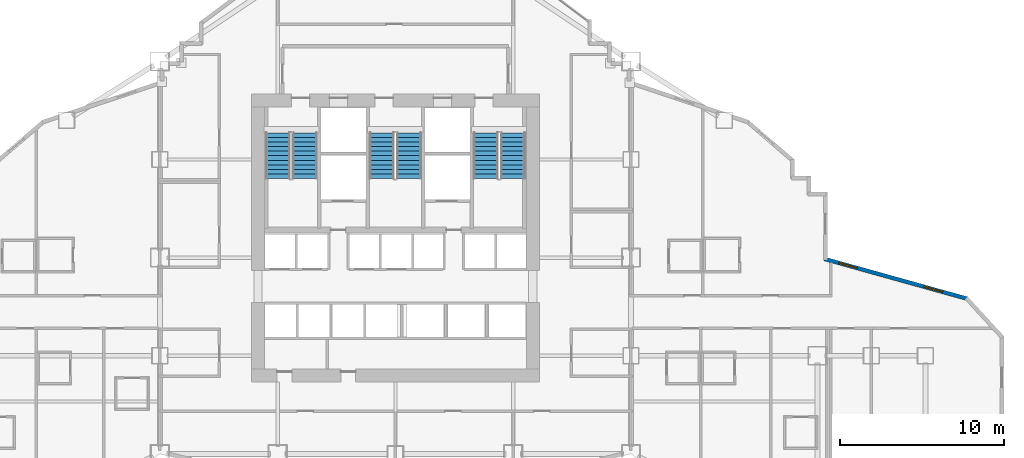
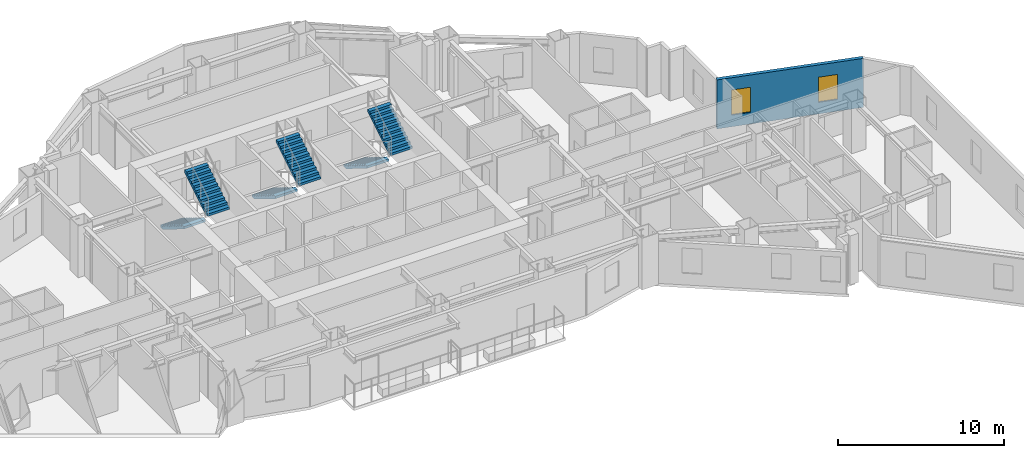
# One storey, part 13 of 16: 6 stair flights, 2 windows, 1 wall, 2 openings, 3 elements without a shape of their own.
"""IFC4 building model written with IfcOpenShell, lengths in metres."""

from ifc_helpers import new_model, si_unit, direction, frame, frame_2d, origin, place, context, subcontext, project, spatial, polyline, rectangle, outline, extrude, material, layer, layer_set, type_object, element, fill, aggregate, save


model = new_model("IFC4")

# Units and contexts
model_context = context("Model", 3, precision=1e-05, world=origin(), true_north=direction((0.0, 1.0)))
body_context = subcontext(model_context, "Body", "Model", "MODEL_VIEW")
ifc_project = project(units=[si_unit("LENGTHUNIT", "METRE"), si_unit("AREAUNIT", "SQUARE_METRE"), si_unit("VOLUMEUNIT", "CUBIC_METRE"), si_unit("PLANEANGLEUNIT", "RADIAN"), si_unit("MASSUNIT", "GRAM", prefix="KILO")], contexts=[model_context])

# Site, building, storey
site_placement = place(None, origin())
site = spatial("IfcSite", under=ifc_project, at=site_placement, CompositionType="ELEMENT")
building_placement = place(site_placement, origin())
building = spatial("IfcBuilding", under=site, at=building_placement, Name="Haolan Belvedere Tower", CompositionType="ELEMENT")
storey_placement = place(building_placement, frame((0.0, 0.0, 62.800048828125)))
storey = spatial("IfcBuildingStorey", under=building, at=storey_placement, Name="L15", CompositionType="ELEMENT", Elevation=62.800048828125)

# Wall, openings, windows
ifc_material_1 = material(Name="Precast concrete C40/50", Category="concrete")
ifc_layer = layer(ifc_material_1, 0.239990234375, Name="Precast concrete C40/50")
ifc_layer_set = layer_set([ifc_layer], Name="Precast concrete C40/50")
wall_type = type_object("IfcWallType", Name="WL-EXT-240", PredefinedType="SOLIDWALL", material=ifc_layer_set)
wall_placement = place(storey_placement, frame((73.3876953125, 31.078857421875, 0.0), z_axis=(0.0, 0.0, 1.0), x_axis=(-0.963197271032, 0.268795493036, 0.0)))
wall = element("IfcWall", 1, at=wall_placement, inside=storey, type_object=wall_type, Name="L15 pale-metal exterior spandrel wall 28.1", PredefinedType="SOLIDWALL", context=body_context, shape_type="SweptSolid", body=[
    extrude(rectangle(XDim=9.095458984375, YDim=0.239990234375, at=frame_2d((4.5478515625, 0.0))), origin(), (0.0, 0.0, 1.0), 3.599853515625),
])
opening_1_placement = place(wall_placement, frame((1.60009765625, 0.0, 0.85009765625)))
opening_1 = element("IfcOpeningElement", 2, at=opening_1_placement, cuts=wall, Name="Opening W-01", PredefinedType="OPENING", context=body_context, shape_type="SweptSolid", body=[
    extrude(rectangle(XDim=1.199951171875, YDim=1.85009765625, at=frame_2d((0.60009765625, 0.925048828125))), frame((0.0, 0.1298828125, 0.0), z_axis=(0.0, -1.0, 0.0), x_axis=(1.0, 0.0, 0.0)), (0.0, 0.0, 1.0), 0.260009765625),
])
opening_2_placement = place(wall_placement, frame((7.0, 0.0, 0.85009765625)))
opening_2 = element("IfcOpeningElement", 3, at=opening_2_placement, cuts=wall, Name="Opening W-01", PredefinedType="OPENING", context=body_context, shape_type="SweptSolid", body=[
    extrude(rectangle(XDim=1.199951171875, YDim=1.85009765625, at=frame_2d((0.60009765625, 0.925048828125))), frame((0.0, 0.1298828125, 0.0), z_axis=(0.0, -1.0, 0.0), x_axis=(1.0, 0.0, 0.0)), (0.0, 0.0, 1.0), 0.260009765625),
])
ifc_material_2 = material(Name="Anodised aluminium 6063-T6 and Low-E glass", Category="aluminium")
window_type = type_object("IfcWindowType", Name="WN-DECO-Z1", PartitioningType="SINGLE_PANEL", PredefinedType="WINDOW", material=ifc_material_2)
window_1_placement = place(opening_1_placement, origin())
window_1 = element("IfcWindow", 4, at=window_1_placement, inside=storey, type_object=window_type, Name="L15 Art Deco chevron window 1", OverallHeight=1.85009765625, OverallWidth=1.199951171875, PartitioningType="SINGLE_PANEL", PredefinedType="WINDOW", context=body_context, shape_type="SweptSolid", body=[
    extrude(rectangle(XDim=1.199951171875, YDim=1.85009765625, at=frame_2d((0.60009765625, 0.925048828125))), frame((0.0, 0.030029296875, 0.0), z_axis=(0.0, -1.0, 0.0), x_axis=(1.0, 0.0, 0.0)), (0.0, 0.0, 1.0), 0.06005859375),
])
fill(opening_1, window_1)
window_2_placement = place(opening_2_placement, origin())
window_2 = element("IfcWindow", 5, at=window_2_placement, inside=storey, type_object=window_type, Name="L15 Art Deco chevron window 2", OverallHeight=1.85009765625, OverallWidth=1.199951171875, PartitioningType="SINGLE_PANEL", PredefinedType="WINDOW", context=body_context, shape_type="SweptSolid", body=[
    extrude(rectangle(XDim=1.199951171875, YDim=1.85009765625, at=frame_2d((0.60009765625, 0.925048828125))), frame((0.0, 0.030029296875, 0.0), z_axis=(0.0, -1.0, 0.0), x_axis=(1.0, 0.0, 0.0)), (0.0, 0.0, 1.0), 0.06005859375),
])
fill(opening_2, window_2)

# Stair, stair flights
ifc_material_3 = material(Name="Concrete C40/50", Category="concrete")
stair_type = type_object("IfcStairType", Name="STR-DL-22R-173", PredefinedType="HALF_TURN_STAIR", material=ifc_material_3)
stair_1_placement = place(storey_placement, origin())
stair_1 = element("IfcStair", 6, at=stair_1_placement, inside=storey, type_object=stair_type, Name="L15 Smokeproof Core Exit Stair ST1", PredefinedType="HALF_TURN_STAIR")
stair_flight_type = type_object("IfcStairFlightType", Name="SFL-DL-11R-173", PredefinedType="STRAIGHT", material=ifc_material_3)
stair_flight_1_placement = place(storey_placement, frame((31.2099609375, 41.22998046875, 0.0), z_axis=(0.0, 0.0, 1.0), x_axis=(0.0, -1.0, 0.0)))
stair_flight_1 = element("IfcStairFlight", 7, at=stair_flight_1_placement, type_object=stair_flight_type, Name="ST1 flight 1", NumberOfRisers=11, NumberOfTreads=10, PredefinedType="STRAIGHT", RiserHeight=0.172727273, TreadLength=0.28, context=body_context, shape_type="SweptSolid", body=[
    extrude(outline(polyline([(0.0, 0.0), (0.0, 0.172607421875), (0.280029296875, 0.172607421875), (0.280029296875, 0.345458984375), (0.56005859375, 0.345458984375), (0.56005859375, 0.51806640625), (0.840087890625, 0.51806640625), (0.840087890625, 0.69091796875), (1.1201171875, 0.69091796875), (1.1201171875, 0.863525390625), (1.39990234375, 0.863525390625), (1.39990234375, 1.036376953125), (1.679931640625, 1.036376953125), (1.679931640625, 1.208984375), (1.9599609375, 1.208984375), (1.9599609375, 1.3818359375), (2.239990234375, 1.3818359375), (2.239990234375, 1.554443359375), (2.52001953125, 1.554443359375), (2.52001953125, 1.727294921875), (2.800048828125, 1.727294921875), (2.800048828125, 1.89990234375), (2.800048828125, 1.551025390625), (0.285400390625, 0.0), (0.0, 0.0)])), frame((0.0, 0.760009765625, 0.0), z_axis=(0.0, -1.0, 0.0), x_axis=(1.0, 0.0, 0.0)), (0.0, 0.0, 1.0), 1.52001953125),
])
stair_flight_2_placement = place(storey_placement, frame((32.8701171875, 38.429931640625, 1.89990234375), z_axis=(0.0, 0.0, 1.0), x_axis=(0.0, 1.0, 0.0)))
stair_flight_2 = element("IfcStairFlight", 8, at=stair_flight_2_placement, type_object=stair_flight_type, Name="ST1 flight 2", NumberOfRisers=11, NumberOfTreads=10, PredefinedType="STRAIGHT", RiserHeight=0.172727273, TreadLength=0.28, context=body_context, shape_type="SweptSolid", body=[
    extrude(outline(polyline([(0.0, 0.0), (0.0, 0.172607421875), (0.280029296875, 0.172607421875), (0.280029296875, 0.345458984375), (0.56005859375, 0.345458984375), (0.56005859375, 0.51806640625), (0.840087890625, 0.51806640625), (0.840087890625, 0.69091796875), (1.1201171875, 0.69091796875), (1.1201171875, 0.863525390625), (1.39990234375, 0.863525390625), (1.39990234375, 1.036376953125), (1.679931640625, 1.036376953125), (1.679931640625, 1.208984375), (1.9599609375, 1.208984375), (1.9599609375, 1.3818359375), (2.239990234375, 1.3818359375), (2.239990234375, 1.554443359375), (2.52001953125, 1.554443359375), (2.52001953125, 1.727294921875), (2.800048828125, 1.727294921875), (2.800048828125, 1.89990234375), (2.800048828125, 1.551025390625), (0.285400390625, 0.0), (0.0, 0.0)])), frame((0.0, 0.760009765625, 0.0), z_axis=(0.0, -1.0, 0.0), x_axis=(1.0, 0.0, 0.0)), (0.0, 0.0, 1.0), 1.52001953125),
])
aggregate(stair_1, [stair_flight_1, stair_flight_2])

stair_2_placement = place(storey_placement, origin())
stair_2 = element("IfcStair", 9, at=stair_2_placement, inside=storey, type_object=stair_type, Name="L15 Smokeproof Core Exit Stair ST3", PredefinedType="HALF_TURN_STAIR")
stair_flight_3_placement = place(storey_placement, frame((37.570068359375, 41.22998046875, 0.0), z_axis=(0.0, 0.0, 1.0), x_axis=(0.0, -1.0, 0.0)))
stair_flight_3 = element("IfcStairFlight", 10, at=stair_flight_3_placement, type_object=stair_flight_type, Name="ST3 flight 1", NumberOfRisers=11, NumberOfTreads=10, PredefinedType="STRAIGHT", RiserHeight=0.172727273, TreadLength=0.28, context=body_context, shape_type="SweptSolid", body=[
    extrude(outline(polyline([(0.0, 0.0), (0.0, 0.172607421875), (0.280029296875, 0.172607421875), (0.280029296875, 0.345458984375), (0.56005859375, 0.345458984375), (0.56005859375, 0.51806640625), (0.840087890625, 0.51806640625), (0.840087890625, 0.69091796875), (1.1201171875, 0.69091796875), (1.1201171875, 0.863525390625), (1.39990234375, 0.863525390625), (1.39990234375, 1.036376953125), (1.679931640625, 1.036376953125), (1.679931640625, 1.208984375), (1.9599609375, 1.208984375), (1.9599609375, 1.3818359375), (2.239990234375, 1.3818359375), (2.239990234375, 1.554443359375), (2.52001953125, 1.554443359375), (2.52001953125, 1.727294921875), (2.800048828125, 1.727294921875), (2.800048828125, 1.89990234375), (2.800048828125, 1.551025390625), (0.285400390625, 0.0), (0.0, 0.0)])), frame((0.0, 0.760009765625, 0.0), z_axis=(0.0, -1.0, 0.0), x_axis=(1.0, 0.0, 0.0)), (0.0, 0.0, 1.0), 1.52001953125),
])
stair_flight_4_placement = place(storey_placement, frame((39.22998046875, 38.429931640625, 1.89990234375), z_axis=(0.0, 0.0, 1.0), x_axis=(0.0, 1.0, 0.0)))
stair_flight_4 = element("IfcStairFlight", 11, at=stair_flight_4_placement, type_object=stair_flight_type, Name="ST3 flight 2", NumberOfRisers=11, NumberOfTreads=10, PredefinedType="STRAIGHT", RiserHeight=0.172727273, TreadLength=0.28, context=body_context, shape_type="SweptSolid", body=[
    extrude(outline(polyline([(0.0, 0.0), (0.0, 0.172607421875), (0.280029296875, 0.172607421875), (0.280029296875, 0.345458984375), (0.56005859375, 0.345458984375), (0.56005859375, 0.51806640625), (0.840087890625, 0.51806640625), (0.840087890625, 0.69091796875), (1.1201171875, 0.69091796875), (1.1201171875, 0.863525390625), (1.39990234375, 0.863525390625), (1.39990234375, 1.036376953125), (1.679931640625, 1.036376953125), (1.679931640625, 1.208984375), (1.9599609375, 1.208984375), (1.9599609375, 1.3818359375), (2.239990234375, 1.3818359375), (2.239990234375, 1.554443359375), (2.52001953125, 1.554443359375), (2.52001953125, 1.727294921875), (2.800048828125, 1.727294921875), (2.800048828125, 1.89990234375), (2.800048828125, 1.551025390625), (0.285400390625, 0.0), (0.0, 0.0)])), frame((0.0, 0.760009765625, 0.0), z_axis=(0.0, -1.0, 0.0), x_axis=(1.0, 0.0, 0.0)), (0.0, 0.0, 1.0), 1.52001953125),
])
aggregate(stair_2, [stair_flight_3, stair_flight_4])

stair_3_placement = place(storey_placement, origin())
stair_3 = element("IfcStair", 12, at=stair_3_placement, inside=storey, type_object=stair_type, Name="L15 Smokeproof Core Exit Stair ST2", PredefinedType="HALF_TURN_STAIR")
stair_flight_5_placement = place(storey_placement, frame((43.929931640625, 41.22998046875, 0.0), z_axis=(0.0, 0.0, 1.0), x_axis=(0.0, -1.0, 0.0)))
stair_flight_5 = element("IfcStairFlight", 13, at=stair_flight_5_placement, type_object=stair_flight_type, Name="ST2 flight 1", NumberOfRisers=11, NumberOfTreads=10, PredefinedType="STRAIGHT", RiserHeight=0.172727273, TreadLength=0.28, context=body_context, shape_type="SweptSolid", body=[
    extrude(outline(polyline([(0.0, 0.0), (0.0, 0.172607421875), (0.280029296875, 0.172607421875), (0.280029296875, 0.345458984375), (0.56005859375, 0.345458984375), (0.56005859375, 0.51806640625), (0.840087890625, 0.51806640625), (0.840087890625, 0.69091796875), (1.1201171875, 0.69091796875), (1.1201171875, 0.863525390625), (1.39990234375, 0.863525390625), (1.39990234375, 1.036376953125), (1.679931640625, 1.036376953125), (1.679931640625, 1.208984375), (1.9599609375, 1.208984375), (1.9599609375, 1.3818359375), (2.239990234375, 1.3818359375), (2.239990234375, 1.554443359375), (2.52001953125, 1.554443359375), (2.52001953125, 1.727294921875), (2.800048828125, 1.727294921875), (2.800048828125, 1.89990234375), (2.800048828125, 1.551025390625), (0.285400390625, 0.0), (0.0, 0.0)])), frame((0.0, 0.760009765625, 0.0), z_axis=(0.0, -1.0, 0.0), x_axis=(1.0, 0.0, 0.0)), (0.0, 0.0, 1.0), 1.52001953125),
])
stair_flight_6_placement = place(storey_placement, frame((45.590087890625, 38.429931640625, 1.89990234375), z_axis=(0.0, 0.0, 1.0), x_axis=(0.0, 1.0, 0.0)))
stair_flight_6 = element("IfcStairFlight", 14, at=stair_flight_6_placement, type_object=stair_flight_type, Name="ST2 flight 2", NumberOfRisers=11, NumberOfTreads=10, PredefinedType="STRAIGHT", RiserHeight=0.172727273, TreadLength=0.28, context=body_context, shape_type="SweptSolid", body=[
    extrude(outline(polyline([(0.0, 0.0), (0.0, 0.172607421875), (0.280029296875, 0.172607421875), (0.280029296875, 0.345458984375), (0.56005859375, 0.345458984375), (0.56005859375, 0.51806640625), (0.840087890625, 0.51806640625), (0.840087890625, 0.69091796875), (1.1201171875, 0.69091796875), (1.1201171875, 0.863525390625), (1.39990234375, 0.863525390625), (1.39990234375, 1.036376953125), (1.679931640625, 1.036376953125), (1.679931640625, 1.208984375), (1.9599609375, 1.208984375), (1.9599609375, 1.3818359375), (2.239990234375, 1.3818359375), (2.239990234375, 1.554443359375), (2.52001953125, 1.554443359375), (2.52001953125, 1.727294921875), (2.800048828125, 1.727294921875), (2.800048828125, 1.89990234375), (2.800048828125, 1.551025390625), (0.285400390625, 0.0), (0.0, 0.0)])), frame((0.0, 0.760009765625, 0.0), z_axis=(0.0, -1.0, 0.0), x_axis=(1.0, 0.0, 0.0)), (0.0, 0.0, 1.0), 1.52001953125),
])
aggregate(stair_3, [stair_flight_5, stair_flight_6])

save(model, "model.ifc")
